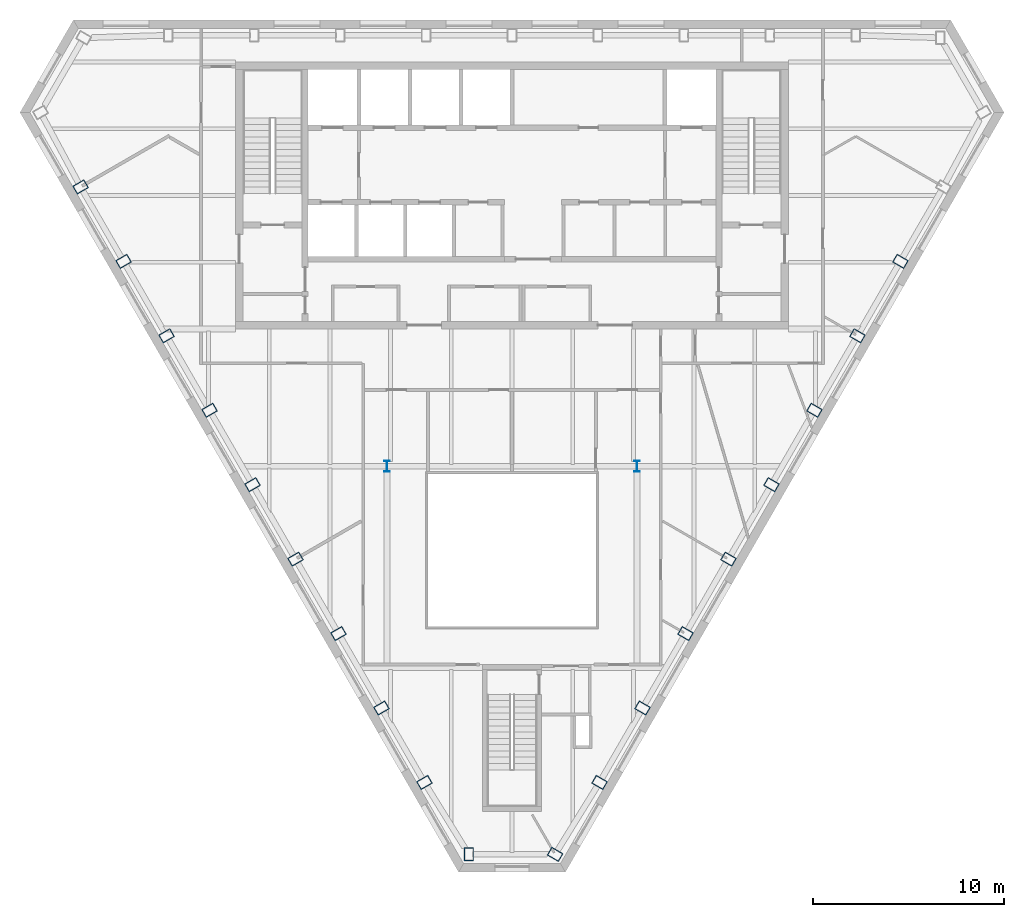
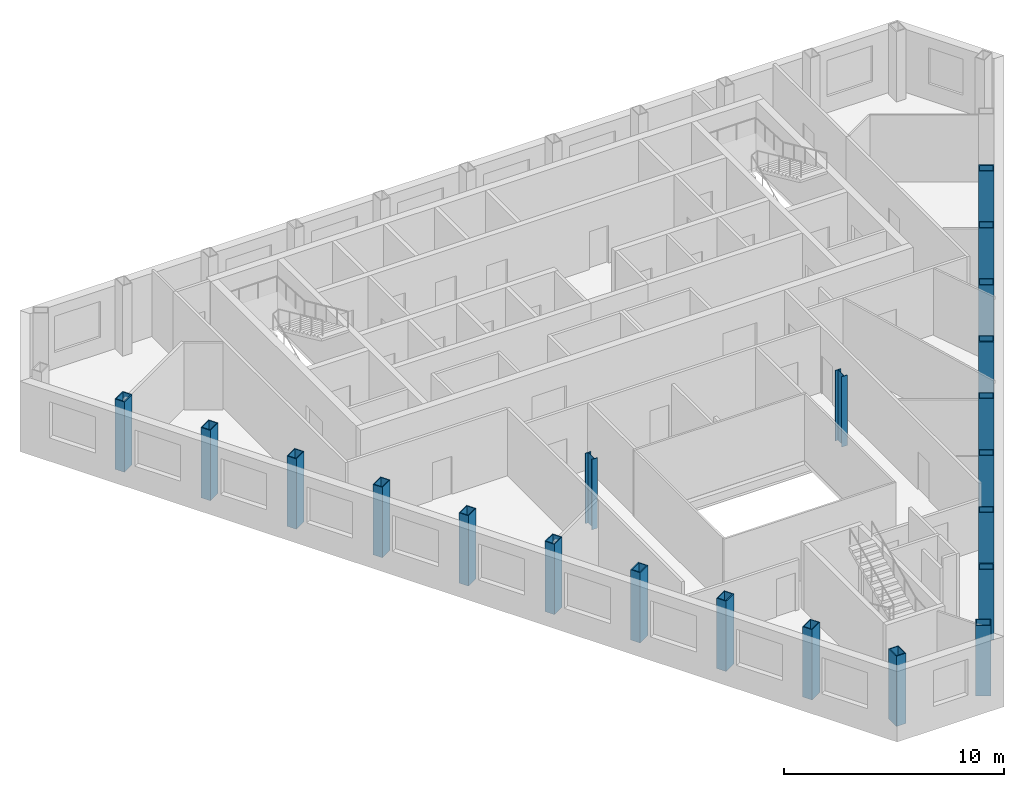
# One storey, part 1 of 10: 21 columns.
"""IFC4 building model written with IfcOpenShell, lengths in metres."""

from ifc_helpers import new_model, si_unit, direction, frame, origin, origin_2d, place, context, subcontext, project, spatial, hollow_rectangle, i_section, extrude, material, material_profile, profile_set, type_object, element, save


model = new_model("IFC4")

# Units and contexts
model_context = context("Model", 3, precision=1e-05, world=origin(), true_north=direction((0.0, 1.0)))
body_context = subcontext(model_context, "Body", "Model", "MODEL_VIEW")
ifc_project = project(units=[si_unit("LENGTHUNIT", "METRE"), si_unit("AREAUNIT", "SQUARE_METRE"), si_unit("VOLUMEUNIT", "CUBIC_METRE"), si_unit("PLANEANGLEUNIT", "RADIAN"), si_unit("MASSUNIT", "GRAM", prefix="KILO")], contexts=[model_context])

# Site, building, storey
site_placement = place(None, origin())
site = spatial("IfcSite", under=ifc_project, at=site_placement, CompositionType="ELEMENT")
building_placement = place(site_placement, origin())
building = spatial("IfcBuilding", under=site, at=building_placement, Name="Njiva Tower", CompositionType="ELEMENT")
storey_placement = place(building_placement, frame((0.0, 0.0, 272.7)))
storey = spatial("IfcBuildingStorey", under=building, at=storey_placement, Name="L62", CompositionType="ELEMENT", Elevation=272.7)

# Columns
ifc_material = material(Name="Steel S355 J2", Category="steel")
ifc_material_profile_1 = material_profile(ifc_material, hollow_rectangle(XDim=0.5, YDim=0.7, WallThickness=0.045, at=origin_2d()), Name="BOX 700x500x45")
ifc_profile_set_1 = profile_set([ifc_material_profile_1], Name="Steel S355 J2")
column_type_1 = type_object("IfcColumnType", Name="C13 Perimeter tube column BOX 700x500x45", PredefinedType="COLUMN", material=ifc_profile_set_1)
for number, where, z_axis, x_axis, name in (
    (1, (-22.622, 11.447, 0.0), (0.0, 0.0, 1.0), (0.5, -0.866025403784, 0.0), "Perimeter tube column S20-C13"),
    (2, (-20.369, 7.543, 0.0), (0.0, 0.0, 1.0), (0.5, -0.866025403784, 0.0), "Perimeter tube column S20-C14"),
    (3, (-18.115, 3.639, 0.0), (0.0, 0.0, 1.0), (0.5, -0.866025403784, 0.0), "Perimeter tube column S20-C15"),
    (4, (-15.861, -0.265, 0.0), (0.0, 0.0, 1.0), (0.5, -0.866025403784, 0.0), "Perimeter tube column S20-C16"),
    (5, (-13.607, -4.168, 0.0), (0.0, 0.0, 1.0), (0.5, -0.866025403784, 0.0), "Perimeter tube column S20-C17"),
    (6, (-11.353, -8.072, 0.0), (0.0, 0.0, 1.0), (0.5, -0.866025403784, 0.0), "Perimeter tube column S20-C18"),
    (7, (-9.1, -11.976, 0.0), (0.0, 0.0, 1.0), (0.5, -0.866025403784, 0.0), "Perimeter tube column S20-C19"),
    (8, (-6.846, -15.879, 0.0), (0.0, 0.0, 1.0), (0.5, -0.866025403784, 0.0), "Perimeter tube column S20-C20"),
    (9, (-4.592, -19.783, 0.0), (0.0, 0.0, 1.0), (0.5, -0.866025403784, 0.0), "Perimeter tube column S20-C21"),
    (10, (-2.261, -23.554, 0.0), (0.0, 0.0, 1.0), (1.0, 0.0, 0.0), "Perimeter tube column S20-C22"),
    (11, (2.261, -23.554, 0.0), (0.0, 0.0, 1.0), (0.5, 0.866025403784, 0.0), "Perimeter tube column S20-C23"),
    (12, (4.592, -19.783, 0.0), (0.0, 0.0, 1.0), (0.5, 0.866025403784, 0.0), "Perimeter tube column S20-C24"),
    (13, (6.846, -15.879, 0.0), (0.0, 0.0, 1.0), (0.5, 0.866025403784, 0.0), "Perimeter tube column S20-C25"),
    (14, (9.1, -11.976, 0.0), (0.0, 0.0, 1.0), (0.5, 0.866025403784, 0.0), "Perimeter tube column S20-C26"),
    (15, (11.353, -8.072, 0.0), (0.0, 0.0, 1.0), (0.5, 0.866025403784, 0.0), "Perimeter tube column S20-C27"),
    (16, (13.607, -4.168, 0.0), (0.0, 0.0, 1.0), (0.5, 0.866025403784, 0.0), "Perimeter tube column S20-C28"),
    (17, (15.861, -0.265, 0.0), (0.0, 0.0, 1.0), (0.5, 0.866025403784, 0.0), "Perimeter tube column S20-C29"),
    (18, (18.115, 3.639, 0.0), (0.0, 0.0, 1.0), (0.5, 0.866025403784, 0.0), "Perimeter tube column S20-C30"),
    (19, (20.369, 7.543, 0.0), (0.0, 0.0, 1.0), (0.5, 0.866025403784, 0.0), "Perimeter tube column S20-C31"),
):
    element("IfcColumn", number, at=place(storey_placement, frame(where, z_axis=z_axis, x_axis=x_axis)), inside=storey, type_object=column_type_1, Name=name, PredefinedType="COLUMN", context=body_context, shape_type="SweptSolid", body=[
        extrude(hollow_rectangle(XDim=0.5, YDim=0.7, WallThickness=0.045, at=origin_2d()), origin(), (0.0, 0.0, 1.0), 3.9),
    ])
ifc_material_profile_2 = material_profile(ifc_material, i_section(OverallWidth=0.3, OverallDepth=0.6, WebThickness=0.0155, FlangeThickness=0.03, at=origin_2d()), Name="HEB 600")
ifc_profile_set_2 = profile_set([ifc_material_profile_2], Name="Steel S355 J2")
column_type_2 = type_object("IfcColumnType", Name="C14 Interior column HEB 600", PredefinedType="COLUMN", material=ifc_profile_set_2)
for number, where, z_axis, x_axis, name in (
    (20, (6.55, -3.2, 0.0), (0.0, 0.0, 1.0), (1.0, 0.0, 0.0), "Interior column S20-C34"),
    (21, (-6.55, -3.2, 0.0), (0.0, 0.0, 1.0), (1.0, 0.0, 0.0), "Interior column S20-C35"),
):
    element("IfcColumn", number, at=place(storey_placement, frame(where, z_axis=z_axis, x_axis=x_axis)), inside=storey, type_object=column_type_2, Name=name, PredefinedType="COLUMN", context=body_context, shape_type="SweptSolid", body=[
        extrude(i_section(OverallWidth=0.3, OverallDepth=0.6, WebThickness=0.0155, FlangeThickness=0.03, at=origin_2d()), origin(), (0.0, 0.0, 1.0), 3.9),
    ])

save(model, "model.ifc")
